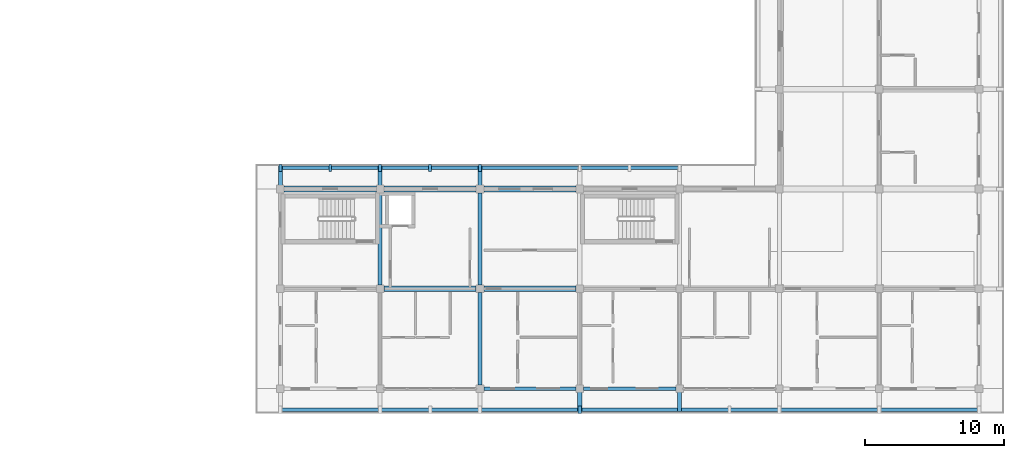
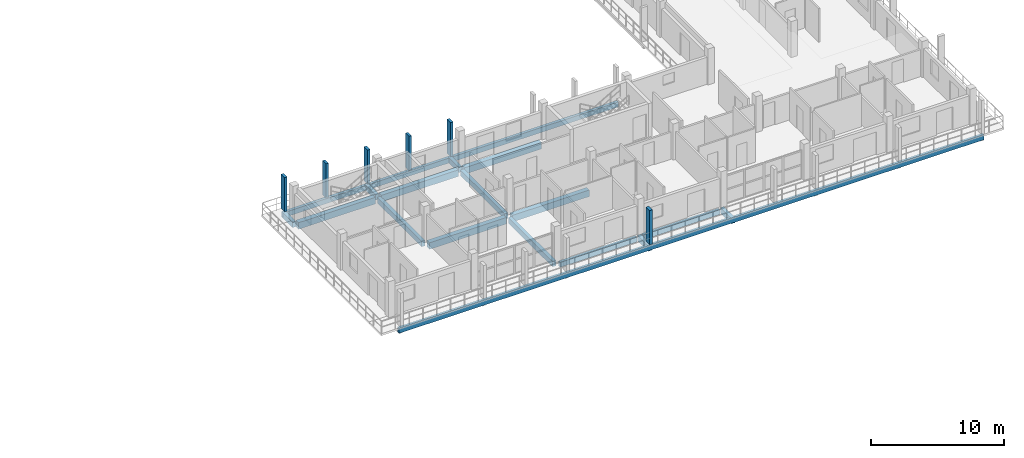
# One storey, part 18 of 60: 17 beams, 6 members.
"""IFC4 building model written with IfcOpenShell, lengths in metres."""

from ifc_helpers import new_model, si_unit, direction, frame, origin, origin_2d, place, context, subcontext, project, spatial, rectangle, extrude, material, material_profile, profile_set, type_object, element, save


model = new_model("IFC4")

# Units and contexts
model_context = context("Model", 3, precision=1e-05, world=origin(), true_north=direction((0.0, 1.0)))
body_context = subcontext(model_context, "Body", "Model", "MODEL_VIEW")
ifc_project = project(units=[si_unit("LENGTHUNIT", "METRE"), si_unit("AREAUNIT", "SQUARE_METRE"), si_unit("VOLUMEUNIT", "CUBIC_METRE"), si_unit("PLANEANGLEUNIT", "RADIAN"), si_unit("MASSUNIT", "GRAM", prefix="KILO")], contexts=[model_context])

# Site, building, storey
site_placement = place(None, origin())
site = spatial("IfcSite", under=ifc_project, at=site_placement, CompositionType="ELEMENT")
building_placement = place(site_placement, origin())
building = spatial("IfcBuilding", under=site, at=building_placement, Name="Suanplinth Sawtooth Commons", CompositionType="ELEMENT")
storey_placement = place(building_placement, frame((0.0, 0.0, 31.5)))
storey = spatial("IfcBuildingStorey", under=building, at=storey_placement, Name="L09", CompositionType="ELEMENT", Elevation=31.5)

# Beams
ifc_material_1 = material(Name="Precast concrete C40/50", Category="concrete")
ifc_material_profile_1 = material_profile(ifc_material_1, rectangle(XDim=0.39990234375, YDim=0.60009765625, at=origin_2d()), Name="PC-GDR 400x600")
ifc_profile_set_1 = profile_set([ifc_material_profile_1], Name="Precast concrete C40/50")
beam_type_1 = type_object("IfcBeamType", Name="B-05", PredefinedType="USERDEFINED", material=ifc_profile_set_1)
for number, where, z_axis, x_axis, name in (
    (1, (137.074951171875, 14.39990234375, -0.550048828125), (1.0, 0.0, 0.0), (0.0, 1.0, 0.0), "BMX-L09-C-19-2"),
    (2, (144.27490234375, 7.199951171875, -0.550048828125), (1.0, 0.0, 0.0), (0.0, 1.0, 0.0), "BMX-L09-C-20-1"),
    (3, (144.27490234375, 14.39990234375, -0.550048828125), (1.0, 0.0, 0.0), (0.0, 1.0, 0.0), "BMX-L09-C-20-2"),
):
    element("IfcBeam", number, at=place(storey_placement, frame(where, z_axis=z_axis, x_axis=x_axis)), inside=storey, type_object=beam_type_1, Name=name, ObjectType="GIRDER", PredefinedType="USERDEFINED", context=body_context, shape_type="SweptSolid", body=[
        extrude(rectangle(XDim=0.39990234375, YDim=0.60009765625, at=origin_2d()), origin(), (0.0, 0.0, 1.0), 6.650146484375),
    ])
for number, where, z_axis, x_axis, name in (
    (4, (151.47509765625, 7.199951171875, -0.550048828125), (1.0, 0.0, 0.0), (0.0, 1.0, 0.0), "BMX-L09-C-21-1"),
    (5, (151.47509765625, 14.39990234375, -0.550048828125), (1.0, 0.0, 0.0), (0.0, 1.0, 0.0), "BMX-L09-C-21-2"),
):
    element("IfcBeam", number, at=place(storey_placement, frame(where, z_axis=z_axis, x_axis=x_axis)), inside=storey, type_object=beam_type_1, Name=name, ObjectType="GIRDER", PredefinedType="USERDEFINED", context=body_context, shape_type="SweptSolid", body=[
        extrude(rectangle(XDim=0.39990234375, YDim=0.60009765625, at=origin_2d()), origin(), (0.0, 0.0, 1.0), 6.64990234375),
    ])
ifc_material_profile_2 = material_profile(ifc_material_1, rectangle(XDim=0.300048828125, YDim=0.5, at=origin_2d()), Name="PC-BM 300x500")
ifc_profile_set_2 = profile_set([ifc_material_profile_2], Name="Precast concrete C40/50")
beam_type_2 = type_object("IfcBeamType", Name="B-07", PredefinedType="BEAM", material=ifc_profile_set_2)
beam_1_placement = place(storey_placement, frame((144.0, 7.47509765625, -0.5), z_axis=(0.0, 1.0, 0.0), x_axis=(-1.0, 0.0, 0.0)))
element("IfcBeam", 6, at=beam_1_placement, inside=storey, type_object=beam_type_2, Name="BMY-L09-C-20-1", PredefinedType="BEAM", context=body_context, shape_type="SweptSolid", body=[
    extrude(rectangle(XDim=0.300048828125, YDim=0.5, at=origin_2d()), origin(), (0.0, 0.0, 1.0), 6.64990234375),
])
beam_2_placement = place(storey_placement, frame((151.199951171875, 0.27490234375, -0.5), z_axis=(0.0, 1.0, 0.0), x_axis=(-1.0, 0.0, 0.0)))
element("IfcBeam", 7, at=beam_2_placement, inside=storey, type_object=beam_type_2, Name="BMY-L09-C-21-0", PredefinedType="BEAM", context=body_context, shape_type="SweptSolid", body=[
    extrude(rectangle(XDim=0.300048828125, YDim=0.5, at=origin_2d()), origin(), (0.0, 0.0, 1.0), 6.650146484375),
])
beam_3_placement = place(storey_placement, frame((151.199951171875, 7.47509765625, -0.5), z_axis=(0.0, 1.0, 0.0), x_axis=(-1.0, 0.0, 0.0)))
element("IfcBeam", 8, at=beam_3_placement, inside=storey, type_object=beam_type_2, Name="BMY-L09-C-21-1", PredefinedType="BEAM", context=body_context, shape_type="SweptSolid", body=[
    extrude(rectangle(XDim=0.300048828125, YDim=0.5, at=origin_2d()), origin(), (0.0, 0.0, 1.0), 6.64990234375),
])
for number, where, z_axis, x_axis, name in (
    (9, (158.39990234375, 0.0, -0.429931640625), (0.0, -1.0, 0.0), (1.0, 0.0, 0.0), "Balcony Outrigger L09-C-S-22"),
    (10, (165.60009765625, 0.0, -0.429931640625), (0.0, -1.0, 0.0), (1.0, 0.0, 0.0), "Balcony Outrigger L09-C-S-23"),
):
    element("IfcBeam", number, at=place(storey_placement, frame(where, z_axis=z_axis, x_axis=x_axis)), inside=storey, type_object=beam_type_2, Name=name, PredefinedType="BEAM", context=body_context, shape_type="SweptSolid", body=[
        extrude(rectangle(XDim=0.300048828125, YDim=0.5, at=origin_2d()), origin(), (0.0, 0.0, 1.0), 1.639892578125),
    ])
for number, where, z_axis, x_axis, name in (
    (11, (136.800048828125, 14.39990234375, -0.425048828125), (0.0, 1.0, 0.0), (-1.0, 0.0, 0.0), "Balcony Outrigger L09-C-NC-19"),
    (12, (144.0, 14.39990234375, -0.425048828125), (0.0, 1.0, 0.0), (-1.0, 0.0, 0.0), "Balcony Outrigger L09-C-NC-20"),
    (13, (151.199951171875, 14.39990234375, -0.425048828125), (0.0, 1.0, 0.0), (-1.0, 0.0, 0.0), "Balcony Outrigger L09-C-NC-21"),
):
    element("IfcBeam", number, at=place(storey_placement, frame(where, z_axis=z_axis, x_axis=x_axis)), inside=storey, type_object=beam_type_2, Name=name, PredefinedType="BEAM", context=body_context, shape_type="SweptSolid", body=[
        extrude(rectangle(XDim=0.300048828125, YDim=0.5, at=origin_2d()), origin(), (0.0, 0.0, 1.0), 1.64013671875),
    ])
ifc_material_profile_3 = material_profile(ifc_material_1, rectangle(XDim=0.25, YDim=0.449951171875, at=origin_2d()), Name="PC-SP 250x450")
ifc_profile_set_3 = profile_set([ifc_material_profile_3], Name="Precast concrete C40/50")
beam_type_3 = type_object("IfcBeamType", Name="B-09", PredefinedType="SPANDREL", material=ifc_profile_set_3)
for number, where, z_axis, x_axis, name in (
    (14, (151.47509765625, 0.0, -0.47509765625), (1.0, 0.0, 0.0), (0.0, 1.0, 0.0), "BMX-L09-C-21-0"),
    (15, (158.675048828125, 0.0, -0.47509765625), (1.0, 0.0, 0.0), (0.0, 1.0, 0.0), "BMX-L09-C-22-0"),
):
    element("IfcBeam", number, at=place(storey_placement, frame(where, z_axis=z_axis, x_axis=x_axis)), inside=storey, type_object=beam_type_3, Name=name, PredefinedType="SPANDREL", context=body_context, shape_type="SweptSolid", body=[
        extrude(rectangle(XDim=0.25, YDim=0.449951171875, at=origin_2d()), origin(), (0.0, 0.0, 1.0), 6.64990234375),
    ])
beam_4_placement = place(storey_placement, frame((136.64990234375, -1.52001953125, -0.405029296875), z_axis=(1.0, 0.0, 0.0), x_axis=(0.0, 1.0, 0.0)))
element("IfcBeam", 16, at=beam_4_placement, inside=storey, type_object=beam_type_3, Name="Balcony Edge Fascia L09-C-S", PredefinedType="SPANDREL", context=body_context, shape_type="SweptSolid", body=[
    extrude(rectangle(XDim=0.25, YDim=0.449951171875, at=origin_2d()), origin(), (0.0, 0.0, 1.0), 50.7001953125),
])
beam_5_placement = place(storey_placement, frame((136.64990234375, 15.919921875, -0.39990234375), z_axis=(1.0, 0.0, 0.0), x_axis=(0.0, 1.0, 0.0)))
element("IfcBeam", 17, at=beam_5_placement, inside=storey, type_object=beam_type_3, Name="Balcony Edge Fascia L09-C-NC", PredefinedType="SPANDREL", context=body_context, shape_type="SweptSolid", body=[
    extrude(rectangle(XDim=0.25, YDim=0.449951171875, at=origin_2d()), origin(), (0.0, 0.0, 1.0), 29.10009765625),
])

# Members
ifc_material_2 = material(Name="Pigmented precast concrete C40/50", Category="concrete")
ifc_material_profile_4 = material_profile(ifc_material_2, rectangle(XDim=0.25, YDim=0.5400390625, at=origin_2d()), Name="PC-FIN 250x540")
ifc_profile_set_4 = profile_set([ifc_material_profile_4], Name="Pigmented precast concrete C40/50")
member_type_1 = type_object("IfcMemberType", Name="M-11", PredefinedType="USERDEFINED", material=ifc_profile_set_4)
member_placement = place(storey_placement, frame((158.39990234375, -1.52001953125, 0.0), z_axis=(0.0, 0.0, 1.0), x_axis=(1.0, 0.0, 0.0)))
element("IfcMember", 18, at=member_placement, inside=storey, type_object=member_type_1, Name="Upright Solar Blade L09-C-S-05", ObjectType="SHADING FIN", PredefinedType="USERDEFINED", context=body_context, shape_type="SweptSolid", body=[
    extrude(rectangle(XDim=0.25, YDim=0.5400390625, at=origin_2d()), origin(), (0.0, 0.0, 1.0), 3.1298828125),
])
ifc_material_profile_5 = material_profile(ifc_material_2, rectangle(XDim=0.2099609375, YDim=0.52001953125, at=origin_2d()), Name="PC-FIN 210x520")
ifc_profile_set_5 = profile_set([ifc_material_profile_5], Name="Pigmented precast concrete C40/50")
member_type_2 = type_object("IfcMemberType", Name="M-12", PredefinedType="USERDEFINED", material=ifc_profile_set_5)
for number, where, z_axis, x_axis, name in (
    (19, (136.800048828125, 15.919921875, 0.0), (0.0, 0.0, 1.0), (1.0, 0.0, 0.0), "Upright Solar Blade L09-C-NC-14"),
    (20, (140.39990234375, 15.919921875, 0.0), (0.0, 0.0, 1.0), (1.0, 0.0, 0.0), "Upright Solar Blade L09-C-NC-15"),
    (21, (144.0, 15.919921875, 0.0), (0.0, 0.0, 1.0), (1.0, 0.0, 0.0), "Upright Solar Blade L09-C-NC-16"),
    (22, (147.60009765625, 15.919921875, 0.0), (0.0, 0.0, 1.0), (1.0, 0.0, 0.0), "Upright Solar Blade L09-C-NC-17"),
    (23, (151.199951171875, 15.919921875, 0.0), (0.0, 0.0, 1.0), (1.0, 0.0, 0.0), "Upright Solar Blade L09-C-NC-18"),
):
    element("IfcMember", number, at=place(storey_placement, frame(where, z_axis=z_axis, x_axis=x_axis)), inside=storey, type_object=member_type_2, Name=name, ObjectType="SHADING FIN", PredefinedType="USERDEFINED", context=body_context, shape_type="SweptSolid", body=[
        extrude(rectangle(XDim=0.2099609375, YDim=0.52001953125, at=origin_2d()), origin(), (0.0, 0.0, 1.0), 3.1298828125),
    ])

save(model, "model.ifc")
